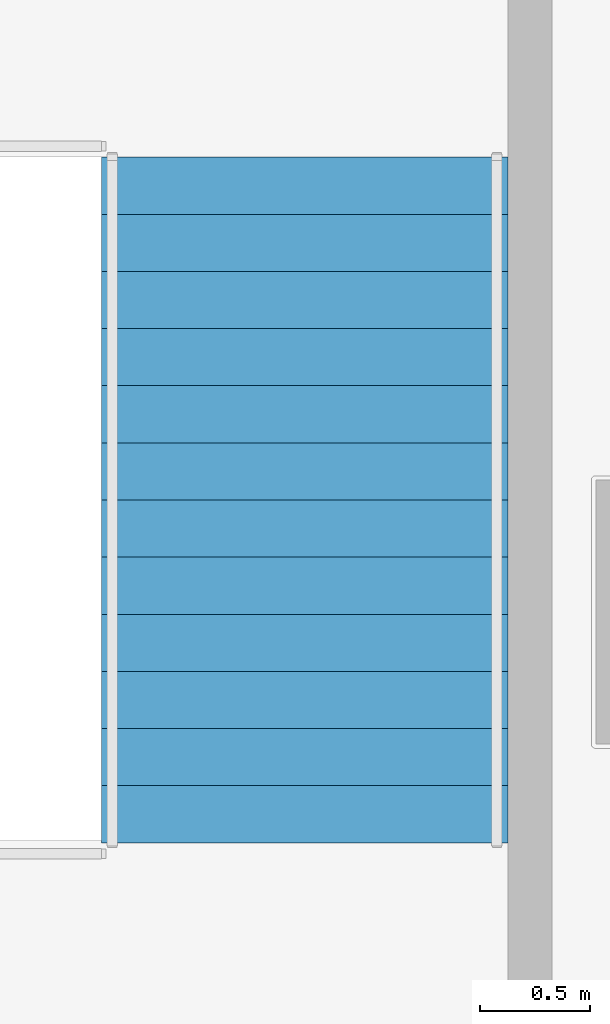
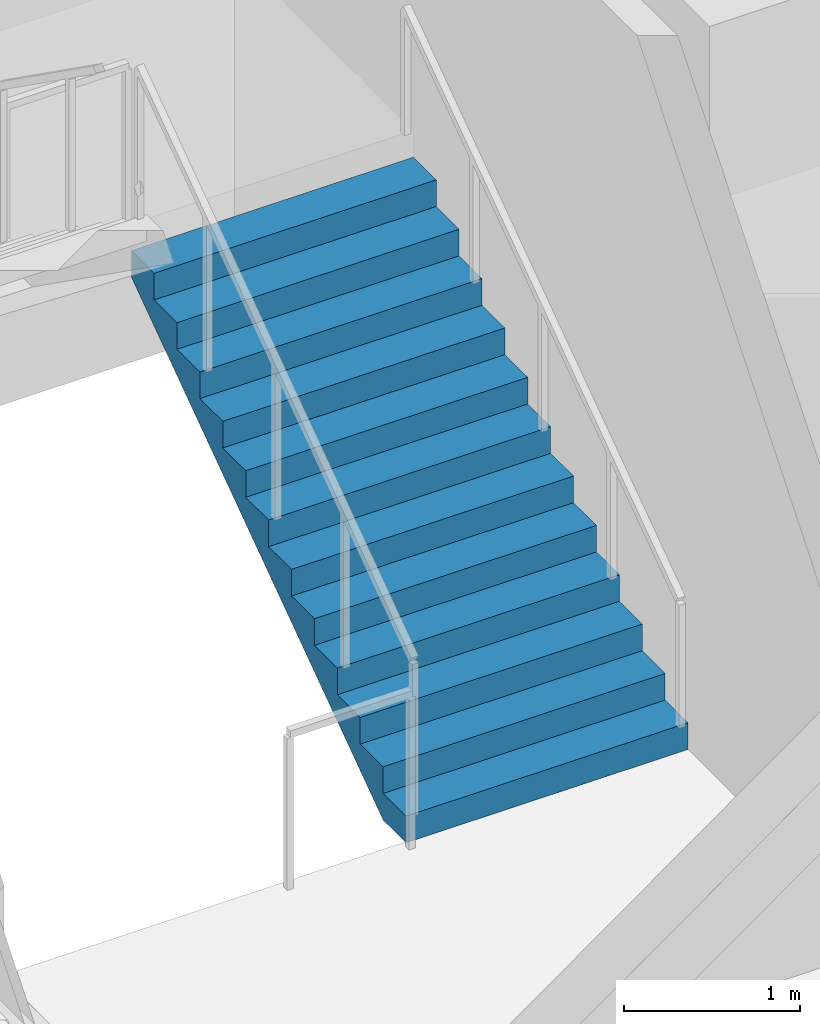
# One storey, part 23 of 29: 1 stair flight, 1 element without a shape of its own.
"""IFC4 building model written with IfcOpenShell, lengths in metres."""

import ifcopenshell
import ifcopenshell.guid

model = None  # the IFC model being written
_history = None  # IfcOwnerHistory: only IFC2X3 demands one
_inside = {}  # id of a spatial element -> (the spatial element, [elements in it])
_under = {}  # id of a project, library or spatial element -> (it, [spatial elements below it])
_declared = {}  # id of a project -> (the project, [libraries it declares])
_typed = {}  # id of a type object -> (the type object, [elements of that type])
_made_of = {}  # id of a material, layer set ... -> (it, [elements and type objects made of it])


def new_model(schema):
    """Start an empty IFC model of exactly this schema.

    Asked for "IFC4X3", IfcOpenShell would pick the latest addendum, in which some entities
    have other attributes; the version numbers below select the first issue.
    IFC2X3 requires an IfcOwnerHistory on every rooted entity: one is made here for all.
    """
    global model, _history
    if schema == "IFC4X3":
        model = ifcopenshell.file(schema_version=(4, 3, 0, 0))
    else:
        model = ifcopenshell.file(schema=schema)
    _inside.clear()
    _under.clear()
    _declared.clear()
    _typed.clear()
    _made_of.clear()
    _history = None
    if model.schema == "IFC2X3":
        org = make("IfcOrganization", Name="unknown")
        user = make(
            "IfcPersonAndOrganization",
            ThePerson=make("IfcPerson", FamilyName="unknown"),
            TheOrganization=org,
        )
        app = make(
            "IfcApplication",
            ApplicationDeveloper=org,
            Version="unknown",
            ApplicationFullName="unknown",
            ApplicationIdentifier="unknown",
        )
        _history = make(
            "IfcOwnerHistory",
            OwningUser=user,
            OwningApplication=app,
            ChangeAction="ADDED",
            CreationDate=0,
        )
    return model


def make(cls, **values):
    """One entity of the class cls with the attributes given. An attribute that is None is left unset."""
    return model.create_entity(
        cls, **{name: value for name, value in values.items() if value is not None}
    )


def rooted(cls, **values):
    """An entity with a GlobalId (a new one), such as an element, a storey or a relation."""
    return make(cls, GlobalId=ifcopenshell.guid.new(), OwnerHistory=_history, **values)


def si_unit(unit_type, name, prefix=None):
    """IfcSIUnit, for example si_unit("LENGTHUNIT", "METRE", prefix="MILLI")."""
    return make("IfcSIUnit", UnitType=unit_type, Prefix=prefix, Name=name)


def assignment(units):
    """IfcUnitAssignment: the units of a project."""
    return None if units is None else make("IfcUnitAssignment", Units=units)


def point(xyz):
    """IfcCartesianPoint."""
    return None if xyz is None else make("IfcCartesianPoint", Coordinates=xyz)


def direction(xyz):
    """IfcDirection."""
    return None if xyz is None else make("IfcDirection", DirectionRatios=xyz)


def frame(location, z_axis=None, x_axis=None):
    """IfcAxis2Placement3D, a coordinate frame: its origin and axes. An axis left out is left unset."""
    return make(
        "IfcAxis2Placement3D",
        Location=point(location),
        Axis=direction(z_axis),
        RefDirection=direction(x_axis),
    )


def origin():
    """The frame at (0, 0, 0) with its axes left unset."""
    return frame((0.0, 0.0, 0.0))


def place(relative_to, where):
    """IfcLocalPlacement: puts the frame where relative to a parent placement (None: the world)."""
    return make(
        "IfcLocalPlacement", PlacementRelTo=relative_to, RelativePlacement=where
    )


def context(
    kind, dimensions, precision=None, world=None, true_north=None, identifier=None
):
    """IfcGeometricRepresentationContext, for example the 3D "Model" context."""
    return make(
        "IfcGeometricRepresentationContext",
        ContextIdentifier=identifier,
        ContextType=kind,
        CoordinateSpaceDimension=dimensions,
        Precision=precision,
        WorldCoordinateSystem=world,
        TrueNorth=true_north,
    )


def subcontext(parent, identifier, kind, view, scale=None):
    """IfcGeometricRepresentationSubContext, for example "Body" below "Model"."""
    return make(
        "IfcGeometricRepresentationSubContext",
        ContextIdentifier=identifier,
        ContextType=kind,
        ParentContext=parent,
        TargetScale=scale,
        TargetView=view,
    )


def project(units=None, contexts=None):
    """IfcProject with its units and contexts."""
    return rooted(
        "IfcProject",
        Name="project",
        RepresentationContexts=contexts,
        UnitsInContext=assignment(units),
    )


def spatial(cls, under=None, at=None, **own):
    """A site, building, storey or space (cls), placed at a placement, below another one or the project."""
    s = rooted(cls, ObjectPlacement=at, **own)
    if under is not None:
        _under.setdefault(under.id(), (under, []))[1].append(s)
    return s


def polyline(points):
    """IfcPolyline through the points."""
    return make("IfcPolyline", Points=[point(p) for p in points])


def outline(outer, holes=None, kind="AREA"):
    """IfcArbitraryClosedProfileDef: a profile drawn as a closed curve; with holes, ...WithVoids."""
    if holes is None:
        return make("IfcArbitraryClosedProfileDef", ProfileType=kind, OuterCurve=outer)
    return make(
        "IfcArbitraryProfileDefWithVoids",
        ProfileType=kind,
        OuterCurve=outer,
        InnerCurves=holes,
    )


def extrude(swept, where, along, depth):
    """IfcExtrudedAreaSolid: the profile swept, set in the frame where, extruded along a direction by depth."""
    return make(
        "IfcExtrudedAreaSolid",
        SweptArea=swept,
        Position=where,
        ExtrudedDirection=direction(along),
        Depth=depth,
    )


def shape(context_of_items, identifier, shape_type, items):
    """IfcShapeRepresentation: the items that make up one representation, for example the "Body"."""
    return make(
        "IfcShapeRepresentation",
        ContextOfItems=context_of_items,
        RepresentationIdentifier=identifier,
        RepresentationType=shape_type,
        Items=items,
    )


def material(Name=None, Category=None):
    """IfcMaterial."""
    return make("IfcMaterial", Name=Name, Category=Category)


def made_of(thing, what):
    """Note that an element or type object is made of a material, layer set ...; save() writes the relation."""
    if what is not None:
        _made_of.setdefault(what.id(), (what, []))[1].append(thing)
    return thing


def type_object(cls, material=None, **own):
    """A type object (cls), such as IfcWallType, which elements share."""
    return made_of(rooted(cls, **own), material)


def element(
    cls,
    number,
    at=None,
    inside=None,
    cuts=None,
    type_object=None,
    material=None,
    context=None,
    identifier="Body",
    shape_type=None,
    held_by="IfcProductDefinitionShape",
    body=None,
    shapes=None,
    **own,
):
    """One element of the class cls, such as IfcWall. Its Tag is "e" and its number.

    at: its placement. inside: the storey or other place that contains it. cuts: it is an
    opening in that element (IfcRelVoidsElement). A single representation is given by context,
    identifier, shape_type and body (its items); several are given by shapes. held_by: the class
    of the entity that holds the representations. save() writes the other relations.
    """
    e = rooted(cls, Tag="e%d" % number, ObjectPlacement=at, **own)
    if body is not None:
        shapes = [shape(context, identifier, shape_type, body)]
    if shapes is not None:
        e.Representation = make(held_by, Representations=shapes)
    if inside is not None:
        _inside.setdefault(inside.id(), (inside, []))[1].append(e)
    if cuts is not None:
        rooted(
            "IfcRelVoidsElement", RelatingBuildingElement=cuts, RelatedOpeningElement=e
        )
    if type_object is not None:
        _typed.setdefault(type_object.id(), (type_object, []))[1].append(e)
    return made_of(e, material)


def aggregate(whole, parts):
    """IfcRelAggregates: a whole, such as a stair, and the parts it consists of."""
    return rooted("IfcRelAggregates", RelatingObject=whole, RelatedObjects=parts)


def save(model, path):
    """Write the relations noted so far, then the file.

    IfcRelAggregates (storeys below a building ...), IfcRelContainedInSpatialStructure (elements
    in a storey), IfcRelDefinesByType, IfcRelAssociatesMaterial and IfcRelDeclares: one each for
    every whole, place, type object, material and project.
    """
    for whole, parts in _under.values():
        aggregate(whole, parts)
    for where, things in _inside.values():
        rooted(
            "IfcRelContainedInSpatialStructure",
            RelatedElements=things,
            RelatingStructure=where,
        )
    for kind, things in _typed.values():
        rooted("IfcRelDefinesByType", RelatedObjects=things, RelatingType=kind)
    for what, things in _made_of.values():
        rooted("IfcRelAssociatesMaterial", RelatedObjects=things, RelatingMaterial=what)
    for by, libraries in _declared.values():
        rooted("IfcRelDeclares", RelatingContext=by, RelatedDefinitions=libraries)
    model.write(path)


model = new_model("IFC4")

# Units and contexts
model_context = context("Model", 3, precision=1e-05, world=origin(), true_north=direction((0.0, 1.0)))
body_context = subcontext(model_context, "Body", "Model", "MODEL_VIEW")
ifc_project = project(units=[si_unit("LENGTHUNIT", "METRE"), si_unit("AREAUNIT", "SQUARE_METRE"), si_unit("VOLUMEUNIT", "CUBIC_METRE"), si_unit("PLANEANGLEUNIT", "RADIAN"), si_unit("MASSUNIT", "GRAM", prefix="KILO")], contexts=[model_context])

# Site, building, storey
site_placement = place(None, origin())
site = spatial("IfcSite", under=ifc_project, at=site_placement, CompositionType="ELEMENT")
building_placement = place(site_placement, origin())
building = spatial("IfcBuilding", under=site, at=building_placement, Name="Rattan Terrace Tower", CompositionType="ELEMENT")
storey_placement = place(building_placement, frame((0.0, 0.0, 12.60009765625)))
storey = spatial("IfcBuildingStorey", under=building, at=storey_placement, Name="L02", CompositionType="ELEMENT", Elevation=12.60009765625)

# Stair, stair flight
ifc_material_1 = material(Name="Concrete C40/50", Category="concrete")
stair_type = type_object("IfcStairType", Name="Core exit stair 1850", PredefinedType="HALF_TURN_STAIR", material=ifc_material_1)
stair_placement = place(storey_placement, origin())
stair = element("IfcStair", 1, at=stair_placement, inside=storey, type_object=stair_type, Name="L02 exit stair 7", PredefinedType="HALF_TURN_STAIR")
ifc_material_2 = material(Name="Concrete C40/50", Category="concrete")
stair_flight_type = type_object("IfcStairFlightType", Name="Core exit stair flight 1850", PredefinedType="STRAIGHT", material=ifc_material_2)
stair_flight_placement = place(storey_placement, frame((24.175048828125, 2.050048828125, 0.0), z_axis=(0.0, 0.0, 1.0), x_axis=(0.0, 1.0, 0.0)))
stair_flight = element("IfcStairFlight", 2, at=stair_flight_placement, type_object=stair_flight_type, Name="S7 flight 1", NumberOfRisers=13, NumberOfTreads=12, PredefinedType="STRAIGHT", RiserHeight=0.184615385, TreadLength=0.26, context=body_context, shape_type="SweptSolid", body=[
    extrude(outline(polyline([(0.0, 0.0), (0.0, 0.1845703125), (0.260009765625, 0.1845703125), (0.260009765625, 0.369140625), (0.52001953125, 0.369140625), (0.52001953125, 0.553955078125), (0.780029296875, 0.553955078125), (0.780029296875, 0.738525390625), (1.0400390625, 0.738525390625), (1.0400390625, 0.923095703125), (1.300048828125, 0.923095703125), (1.300048828125, 1.107666015625), (1.56005859375, 1.107666015625), (1.56005859375, 1.292236328125), (1.820068359375, 1.292236328125), (1.820068359375, 1.476806640625), (2.080078125, 1.476806640625), (2.080078125, 1.66162109375), (2.340087890625, 1.66162109375), (2.340087890625, 1.84619140625), (2.60009765625, 1.84619140625), (2.60009765625, 2.03076171875), (2.860107421875, 2.03076171875), (2.860107421875, 2.21533203125), (3.1201171875, 2.21533203125), (3.1201171875, 2.39990234375), (3.1201171875, 2.031494140625), (0.259033203125, 0.0), (0.0, 0.0)])), frame((0.0, 0.925048828125, 0.0), z_axis=(0.0, -1.0, 0.0), x_axis=(1.0, 0.0, 0.0)), (0.0, 0.0, 1.0), 1.85009765625),
])
aggregate(stair, [stair_flight])

save(model, "model.ifc")
